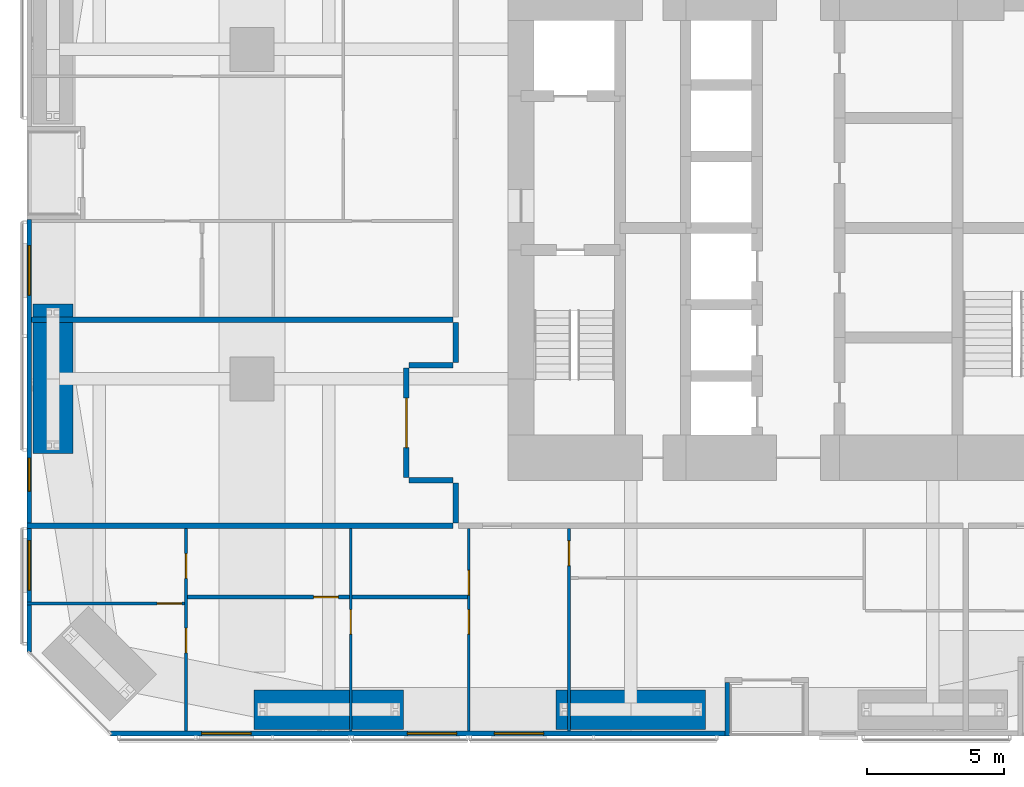
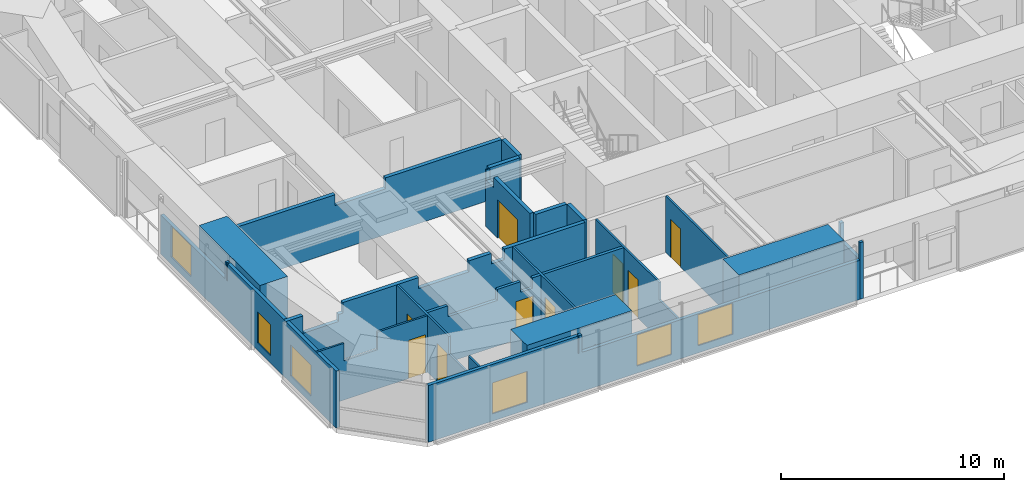
# One storey, part 17 of 24: 20 walls, 9 doors, 6 windows, 15 openings.
"""IFC4 building model written with IfcOpenShell, lengths in metres."""

from ifc_helpers import new_model, si_unit, direction, frame, frame_2d, origin, place, context, subcontext, project, spatial, polyline, rectangle, outline, extrude, material, layer, layer_set, constituent, constituent_set, type_object, element, fill, save


model = new_model("IFC4")

# Units and contexts
model_context = context("Model", 3, precision=1e-05, world=origin(), true_north=direction((0.0, 1.0)))
body_context = subcontext(model_context, "Body", "Model", "MODEL_VIEW")
ifc_project = project(units=[si_unit("LENGTHUNIT", "METRE"), si_unit("AREAUNIT", "SQUARE_METRE"), si_unit("VOLUMEUNIT", "CUBIC_METRE"), si_unit("PLANEANGLEUNIT", "RADIAN"), si_unit("MASSUNIT", "GRAM", prefix="KILO")], contexts=[model_context])

# Site, building, storey
site_placement = place(None, origin())
site = spatial("IfcSite", under=ifc_project, at=site_placement, CompositionType="ELEMENT")
building_placement = place(site_placement, origin())
building = spatial("IfcBuilding", under=site, at=building_placement, Name="Jalousie Tower", CompositionType="ELEMENT")
storey_placement = place(building_placement, frame((0.0, 0.0, 44.449951171875)))
storey = spatial("IfcBuildingStorey", under=building, at=storey_placement, Name="L11", CompositionType="ELEMENT", Elevation=44.449951171875)

# Wall, opening, door
ifc_material_1 = material(Name="Concrete block ASTM C90", Category="concrete")
ifc_constituent_1 = constituent(ifc_material_1, Name="Body")
ifc_material_2 = material(Name="Render")
ifc_constituent_2 = constituent(ifc_material_2, Name="Finish")
ifc_constituent_set_1 = constituent_set(constituents=[ifc_constituent_1, ifc_constituent_2])
wall_type_1 = type_object("IfcWallType", Name="BATHROOM WALL 150", PredefinedType="PLUMBINGWALL", material=ifc_constituent_set_1)
wall_1_placement = place(storey_placement, frame((7.85009765625, 5.050048828125, 0.0), z_axis=(0.0, 0.0, 1.0), x_axis=(1.0, 0.0, 0.0)))
wall_1 = element("IfcWall", 1, at=wall_1_placement, inside=storey, type_object=wall_type_1, Name="Bathroom Wall 150 L11", PredefinedType="PLUMBINGWALL", context=body_context, shape_type="SweptSolid", body=[
    extrude(outline(polyline([(0.0, 0.0), (5.89990234375, 0.0), (5.89990234375, 3.110107421875), (5.46240234375, 3.110107421875), (5.46240234375, 2.541015625), (4.837646484375, 2.541015625), (4.837646484375, 3.110107421875), (3.635009765625, 3.110107421875), (3.635009765625, 2.510009765625), (1.06494140625, 2.510009765625), (1.06494140625, 3.110107421875), (0.0, 3.110107421875), (0.0, 0.0)])), frame((0.0, 0.074951171875, 0.0), z_axis=(0.0, -1.0, 0.0), x_axis=(1.0, 0.0, 0.0)), (0.0, 0.0, 1.0), 0.14990234375),
])
opening_1_placement = place(wall_1_placement, frame((4.60009765625, 0.0, 0.0)))
opening_1 = element("IfcOpeningElement", 2, at=opening_1_placement, cuts=wall_1, Name="Opening D3", PredefinedType="OPENING", context=body_context, shape_type="SweptSolid", body=[
    extrude(rectangle(XDim=0.89990234375, YDim=2.10009765625, at=frame_2d((0.449951171875, 1.050048828125))), frame((0.0, 0.0849609375, 0.0), z_axis=(0.0, -1.0, 0.0), x_axis=(1.0, 0.0, 0.0)), (0.0, 0.0, 1.0), 0.169921875),
])
ifc_material_3 = material(Name="Timber door", Category="wood")
door_type_1 = type_object("IfcDoorType", Name="BATHROOM DOOR 900", OperationType="SINGLE_SWING_LEFT", PredefinedType="DOOR", material=ifc_material_3)
door_1_placement = place(opening_1_placement, origin())
door_1 = element("IfcDoor", 3, at=door_1_placement, inside=storey, type_object=door_type_1, Name="Apartment 1101 bedroom 2 bathroom door", OperationType="SINGLE_SWING_RIGHT", OverallHeight=2.10009765625, OverallWidth=0.89990234375, PredefinedType="DOOR", context=body_context, shape_type="SweptSolid", body=[
    extrude(rectangle(XDim=0.89990234375, YDim=2.10009765625, at=frame_2d((0.449951171875, 1.050048828125))), frame((0.0, 0.02490234375, 0.0), z_axis=(0.0, -1.0, 0.0), x_axis=(1.0, 0.0, 0.0)), (0.0, 0.0, 1.0), 0.050048828125),
])
fill(opening_1, door_1)

# Walls
wall_2_placement = place(storey_placement, frame((13.85009765625, 5.050048828125, 0.0), z_axis=(0.0, 0.0, 1.0), x_axis=(1.0, 0.0, 0.0)))
element("IfcWall", 4, at=wall_2_placement, inside=storey, type_object=wall_type_1, Name="Bathroom Wall 150 L11", PredefinedType="PLUMBINGWALL", context=body_context, shape_type="SweptSolid", body=[
    extrude(rectangle(XDim=4.199951171875, YDim=0.14990234375, at=frame_2d((2.10009765625, 0.0))), origin(), (0.0, 0.0, 1.0), 3.110107421875),
])
ifc_material_4 = material(Name="Concrete block ASTM C90", Category="concrete")
ifc_constituent_3 = constituent(ifc_material_4, Name="Body")
ifc_material_5 = material(Name="Render")
ifc_constituent_4 = constituent(ifc_material_5, Name="Finish")
ifc_constituent_set_2 = constituent_set(constituents=[ifc_constituent_3, ifc_constituent_4])
wall_type_2 = type_object("IfcWallType", Name="CORRIDOR WALL 200", PredefinedType="PARTITIONING", material=ifc_constituent_set_2)
for number, where, z_axis, x_axis, name in (
    (5, (17.625, 7.75, 0.0), (0.0, 0.0, 1.0), (0.0, 1.0, 0.0), "Corridor Wall 200 L11"),
    (6, (17.625, 13.60009765625, 0.0), (0.0, 0.0, 1.0), (0.0, 1.0, 0.0), "Corridor Wall 200 L11"),
):
    element("IfcWall", number, at=place(storey_placement, frame(where, z_axis=z_axis, x_axis=x_axis)), inside=storey, type_object=wall_type_2, Name=name, PredefinedType="PARTITIONING", context=body_context, shape_type="SweptSolid", body=[
        extrude(rectangle(XDim=1.449951171875, YDim=0.199951171875, at=frame_2d((0.72509765625, 0.0))), origin(), (0.0, 0.0, 1.0), 3.110107421875),
    ])

# Wall, opening, door
wall_3_placement = place(storey_placement, frame((15.824951171875, 9.39990234375, 0.0), z_axis=(0.0, 0.0, 1.0), x_axis=(0.0, 1.0, 0.0)))
wall_3 = element("IfcWall", 7, at=wall_3_placement, inside=storey, type_object=wall_type_2, Name="Corridor Wall 200 L11", PredefinedType="PARTITIONING", context=body_context, shape_type="SweptSolid", body=[
    extrude(outline(polyline([(0.0, 0.0), (4.0, 0.0), (4.0, 3.110107421875), (3.937255859375, 3.110107421875), (3.937255859375, 2.541015625), (3.2626953125, 2.541015625), (3.2626953125, 3.110107421875), (0.0, 3.110107421875), (0.0, 0.0)])), frame((0.0, 0.10009765625, 0.0), z_axis=(0.0, -1.0, 0.0), x_axis=(1.0, 0.0, 0.0)), (0.0, 0.0, 1.0), 0.199951171875),
])
opening_2_placement = place(wall_3_placement, frame((1.10009765625, 0.0, 0.0)))
opening_2 = element("IfcOpeningElement", 8, at=opening_2_placement, cuts=wall_3, Name="Opening D22", PredefinedType="OPENING", context=body_context, shape_type="SweptSolid", body=[
    extrude(rectangle(XDim=1.800048828125, YDim=2.10009765625, at=frame_2d((0.89990234375, 1.050048828125))), frame((0.0, 0.10986328125, 0.0), z_axis=(0.0, -1.0, 0.0), x_axis=(1.0, 0.0, 0.0)), (0.0, 0.0, 1.0), 0.219970703125),
])
ifc_material_6 = material(Name="Timber fire door", Category="wood")
door_type_2 = type_object("IfcDoorType", Name="CORRIDOR DOUBLE DOOR 1800", OperationType="DOUBLE_DOOR_SINGLE_SWING", PredefinedType="DOOR", material=ifc_material_6)
door_2_placement = place(opening_2_placement, origin())
door_2 = element("IfcDoor", 9, at=door_2_placement, inside=storey, type_object=door_type_2, Name="Residents' library door", OperationType="DOUBLE_DOOR_SINGLE_SWING", OverallHeight=2.10009765625, OverallWidth=1.800048828125, PredefinedType="DOOR", context=body_context, shape_type="SweptSolid", body=[
    extrude(rectangle(XDim=1.800048828125, YDim=2.10009765625, at=frame_2d((0.89990234375, 1.050048828125))), frame((0.0, 0.02490234375, 0.0), z_axis=(0.0, -1.0, 0.0), x_axis=(1.0, 0.0, 0.0)), (0.0, 0.0, 1.0), 0.050048828125),
])
fill(opening_2, door_2)

# Walls
for number, where, z_axis, x_axis, name in (
    (10, (17.52490234375, 9.300048828125, 0.0), (0.0, 0.0, 1.0), (-1.0, 0.0, 0.0), "Corridor Wall 200 L11"),
    (11, (17.52490234375, 13.5, 0.0), (0.0, 0.0, 1.0), (-1.0, 0.0, 0.0), "Corridor Wall 200 L11"),
):
    element("IfcWall", number, at=place(storey_placement, frame(where, z_axis=z_axis, x_axis=x_axis)), inside=storey, type_object=wall_type_2, Name=name, PredefinedType="PARTITIONING", context=body_context, shape_type="SweptSolid", body=[
        extrude(rectangle(XDim=1.599853515625, YDim=0.199951171875, at=frame_2d((0.7998046875, 0.0))), origin(), (0.0, 0.0, 1.0), 3.110107421875),
    ])

# Wall, openings, windows
ifc_material_7 = material(Name="Concrete f'c 40 MPa", Category="concrete")
ifc_constituent_5 = constituent(ifc_material_7, Name="Body")
ifc_material_8 = material(Name="Render, pastel coral")
ifc_constituent_6 = constituent(ifc_material_8, Name="Finish")
ifc_constituent_set_3 = constituent_set(constituents=[ifc_constituent_5, ifc_constituent_6])
wall_type_3 = type_object("IfcWallType", Name="EXTERNAL WALL 175 CORAL RENDER", PredefinedType="SOLIDWALL", material=ifc_constituent_set_3)
wall_4_placement = place(storey_placement, frame((5.05126953125, 0.08740234375, 0.0), z_axis=(0.0, 0.0, 1.0), x_axis=(1.0, 0.0, 0.0)))
wall_4 = element("IfcWall", 12, at=wall_4_placement, inside=storey, type_object=wall_type_3, Name="External Wall 175 Coral Render L11", PredefinedType="SOLIDWALL", context=body_context, shape_type="SweptSolid", body=[
    extrude(outline(polyline([(0.0, 0.0), (22.373779296875, 0.0), (22.373779296875, 2.150146484375), (7.94873046875, 2.150146484375), (7.94873046875, 3.110107421875), (7.79296875, 3.110107421875), (7.79296875, 2.150146484375), (7.74462890625, 2.150146484375), (7.74462890625, 3.110107421875), (0.0, 3.110107421875), (0.0, 0.0)])), frame((0.0, 0.08740234375, 0.0), z_axis=(0.0, -1.0, 0.0), x_axis=(1.0, 0.0, 0.0)), (0.0, 0.0, 1.0), 0.175048828125),
])
opening_3_placement = place(wall_4_placement, frame((3.318603515625, 0.0, 0.39990234375)))
opening_3 = element("IfcOpeningElement", 13, at=opening_3_placement, cuts=wall_4, Name="Opening W-BED170", PredefinedType="OPENING", context=body_context, shape_type="SweptSolid", body=[
    extrude(rectangle(XDim=1.800048828125, YDim=1.699951171875, at=frame_2d((0.89990234375, 0.85009765625))), frame((0.0, 0.097412109375, 0.0), z_axis=(0.0, -1.0, 0.0), x_axis=(1.0, 0.0, 0.0)), (0.0, 0.0, 1.0), 0.195068359375),
])
opening_4_placement = place(wall_4_placement, frame((10.80615234375, 0.0, 0.39990234375)))
opening_4 = element("IfcOpeningElement", 14, at=opening_4_placement, cuts=wall_4, Name="Opening W-BED170", PredefinedType="OPENING", context=body_context, shape_type="SweptSolid", body=[
    extrude(rectangle(XDim=1.800048828125, YDim=1.699951171875, at=frame_2d((0.89990234375, 0.85009765625))), frame((0.0, 0.097412109375, 0.0), z_axis=(0.0, -1.0, 0.0), x_axis=(1.0, 0.0, 0.0)), (0.0, 0.0, 1.0), 0.195068359375),
])
opening_5_placement = place(wall_4_placement, frame((13.9736328125, 0.0, 0.39990234375)))
opening_5 = element("IfcOpeningElement", 15, at=opening_5_placement, cuts=wall_4, Name="Opening W-BED170", PredefinedType="OPENING", context=body_context, shape_type="SweptSolid", body=[
    extrude(rectangle(XDim=1.800048828125, YDim=1.699951171875, at=frame_2d((0.89990234375, 0.85009765625))), frame((0.0, 0.097412109375, 0.0), z_axis=(0.0, -1.0, 0.0), x_axis=(1.0, 0.0, 0.0)), (0.0, 0.0, 1.0), 0.195068359375),
])
ifc_material_9 = material(Name="Aluminium frame, impact-rated glazing", Category="aluminium")
window_type_1 = type_object("IfcWindowType", Name="WINDOW BED 1800x1700", PartitioningType="SINGLE_PANEL", PredefinedType="WINDOW", material=ifc_material_9)
window_1_placement = place(opening_3_placement, origin())
window_1 = element("IfcWindow", 16, at=window_1_placement, inside=storey, type_object=window_type_1, Name="Apartment 1101 bedroom 2 window", OverallHeight=1.699951171875, OverallWidth=1.800048828125, PartitioningType="SINGLE_PANEL", PredefinedType="WINDOW", context=body_context, shape_type="SweptSolid", body=[
    extrude(rectangle(XDim=1.800048828125, YDim=1.699951171875, at=frame_2d((0.89990234375, 0.85009765625))), frame((0.0, 0.030029296875, 0.0), z_axis=(0.0, -1.0, 0.0), x_axis=(1.0, 0.0, 0.0)), (0.0, 0.0, 1.0), 0.06005859375),
])
fill(opening_3, window_1)
window_2_placement = place(opening_4_placement, origin())
window_2 = element("IfcWindow", 17, at=window_2_placement, inside=storey, type_object=window_type_1, Name="Apartment 1101 bedroom 3 window", OverallHeight=1.699951171875, OverallWidth=1.800048828125, PartitioningType="SINGLE_PANEL", PredefinedType="WINDOW", context=body_context, shape_type="SweptSolid", body=[
    extrude(rectangle(XDim=1.800048828125, YDim=1.699951171875, at=frame_2d((0.89990234375, 0.85009765625))), frame((0.0, 0.030029296875, 0.0), z_axis=(0.0, -1.0, 0.0), x_axis=(1.0, 0.0, 0.0)), (0.0, 0.0, 1.0), 0.06005859375),
])
fill(opening_4, window_2)
window_3_placement = place(opening_5_placement, origin())
window_3 = element("IfcWindow", 18, at=window_3_placement, inside=storey, type_object=window_type_1, Name="Apartment 1101 study window", OverallHeight=1.699951171875, OverallWidth=1.800048828125, PartitioningType="SINGLE_PANEL", PredefinedType="WINDOW", context=body_context, shape_type="SweptSolid", body=[
    extrude(rectangle(XDim=1.800048828125, YDim=1.699951171875, at=frame_2d((0.89990234375, 0.85009765625))), frame((0.0, 0.030029296875, 0.0), z_axis=(0.0, -1.0, 0.0), x_axis=(1.0, 0.0, 0.0)), (0.0, 0.0, 1.0), 0.06005859375),
])
fill(opening_5, window_3)

# Wall
wall_5_placement = place(storey_placement, frame((27.512451171875, 0.0, 0.0), z_axis=(0.0, 0.0, 1.0), x_axis=(0.0, 1.0, 0.0)))
element("IfcWall", 19, at=wall_5_placement, inside=storey, type_object=wall_type_3, Name="External Wall 175 Coral Render L11", PredefinedType="SOLIDWALL", context=body_context, shape_type="SweptSolid", body=[
    extrude(outline(polyline([(0.0, 0.0), (1.949951171875, 0.0), (1.949951171875, 3.110107421875), (1.75, 3.110107421875), (1.75, 2.150146484375), (0.14990234375, 2.150146484375), (0.14990234375, 3.110107421875), (0.0, 3.110107421875), (0.0, 0.0)])), frame((0.0, 0.08740234375, 0.0), z_axis=(0.0, -1.0, 0.0), x_axis=(1.0, 0.0, 0.0)), (0.0, 0.0, 1.0), 0.175048828125),
])

# Wall, openings, windows
wall_6_placement = place(storey_placement, frame((2.08740234375, 18.800048828125, 0.0), z_axis=(0.0, 0.0, 1.0), x_axis=(0.0, -1.0, 0.0)))
wall_6 = element("IfcWall", 20, at=wall_6_placement, inside=storey, type_object=wall_type_3, Name="External Wall 175 Coral Render L11", PredefinedType="SOLIDWALL", context=body_context, shape_type="SweptSolid", body=[
    extrude(outline(polyline([(0.0, 0.0), (15.748779296875, 0.0), (15.748779296875, 3.110107421875), (6.0185546875, 3.110107421875), (6.0185546875, 2.150146484375), (5.92578125, 2.150146484375), (5.92578125, 3.110107421875), (5.800048828125, 3.110107421875), (5.800048828125, 2.150146484375), (0.0, 2.150146484375), (0.0, 0.0)])), frame((0.0, 0.08740234375, 0.0), z_axis=(0.0, -1.0, 0.0), x_axis=(1.0, 0.0, 0.0)), (0.0, 0.0, 1.0), 0.175048828125),
])
opening_6_placement = place(wall_6_placement, frame((0.949951171875, 0.0, 0.39990234375)))
opening_6 = element("IfcOpeningElement", 21, at=opening_6_placement, cuts=wall_6, Name="Opening W-BED170", PredefinedType="OPENING", context=body_context, shape_type="SweptSolid", body=[
    extrude(rectangle(XDim=1.800048828125, YDim=1.699951171875, at=frame_2d((0.89990234375, 0.85009765625))), frame((0.0, 0.097412109375, 0.0), z_axis=(0.0, -1.0, 0.0), x_axis=(1.0, 0.0, 0.0)), (0.0, 0.0, 1.0), 0.195068359375),
])
opening_7_placement = place(wall_6_placement, frame((8.68994140625, 0.0, 0.39990234375)))
opening_7 = element("IfcOpeningElement", 22, at=opening_7_placement, cuts=wall_6, Name="Opening W-COR170", PredefinedType="OPENING", context=body_context, shape_type="SweptSolid", body=[
    extrude(rectangle(XDim=1.199951171875, YDim=1.699951171875, at=frame_2d((0.60009765625, 0.85009765625))), frame((0.0, 0.097412109375, 0.0), z_axis=(0.0, -1.0, 0.0), x_axis=(1.0, 0.0, 0.0)), (0.0, 0.0, 1.0), 0.195068359375),
])
opening_8_placement = place(wall_6_placement, frame((11.69140625, 0.0, 0.39990234375)))
opening_8 = element("IfcOpeningElement", 23, at=opening_8_placement, cuts=wall_6, Name="Opening W-BED170", PredefinedType="OPENING", context=body_context, shape_type="SweptSolid", body=[
    extrude(rectangle(XDim=1.800048828125, YDim=1.699951171875, at=frame_2d((0.89990234375, 0.85009765625))), frame((0.0, 0.097412109375, 0.0), z_axis=(0.0, -1.0, 0.0), x_axis=(1.0, 0.0, 0.0)), (0.0, 0.0, 1.0), 0.195068359375),
])
window_4_placement = place(opening_6_placement, origin())
window_4 = element("IfcWindow", 24, at=window_4_placement, inside=storey, type_object=window_type_1, Name="Apartment 1106 bedroom 1 window", OverallHeight=1.699951171875, OverallWidth=1.800048828125, PartitioningType="SINGLE_PANEL", PredefinedType="WINDOW", context=body_context, shape_type="SweptSolid", body=[
    extrude(rectangle(XDim=1.800048828125, YDim=1.699951171875, at=frame_2d((0.89990234375, 0.85009765625))), frame((0.0, 0.030029296875, 0.0), z_axis=(0.0, -1.0, 0.0), x_axis=(1.0, 0.0, 0.0)), (0.0, 0.0, 1.0), 0.06005859375),
])
fill(opening_6, window_4)
window_5_placement = place(opening_8_placement, origin())
window_5 = element("IfcWindow", 25, at=window_5_placement, inside=storey, type_object=window_type_1, Name="Apartment 1101 bedroom 1 window", OverallHeight=1.699951171875, OverallWidth=1.800048828125, PartitioningType="SINGLE_PANEL", PredefinedType="WINDOW", context=body_context, shape_type="SweptSolid", body=[
    extrude(rectangle(XDim=1.800048828125, YDim=1.699951171875, at=frame_2d((0.89990234375, 0.85009765625))), frame((0.0, 0.030029296875, 0.0), z_axis=(0.0, -1.0, 0.0), x_axis=(1.0, 0.0, 0.0)), (0.0, 0.0, 1.0), 0.06005859375),
])
fill(opening_8, window_5)
ifc_material_10 = material(Name="Aluminium frame, impact-rated glazing", Category="aluminium")
window_type_2 = type_object("IfcWindowType", Name="WINDOW COR 1200x1700", PartitioningType="SINGLE_PANEL", PredefinedType="WINDOW", material=ifc_material_10)
window_6_placement = place(opening_7_placement, origin())
window_6 = element("IfcWindow", 26, at=window_6_placement, inside=storey, type_object=window_type_2, Name="Residents' library window", OverallHeight=1.699951171875, OverallWidth=1.199951171875, PartitioningType="SINGLE_PANEL", PredefinedType="WINDOW", context=body_context, shape_type="SweptSolid", body=[
    extrude(rectangle(XDim=1.199951171875, YDim=1.699951171875, at=frame_2d((0.60009765625, 0.85009765625))), frame((0.0, 0.030029296875, 0.0), z_axis=(0.0, -1.0, 0.0), x_axis=(1.0, 0.0, 0.0)), (0.0, 0.0, 1.0), 0.06005859375),
])
fill(opening_7, window_6)

# Wall, openings, doors
ifc_material_11 = material(Name="Gypsum board", Category="gypsum")
ifc_constituent_7 = constituent(ifc_material_11, Name="Body")
ifc_material_12 = material(Name="Light-gauge steel studs ASTM A653 SS Grade 33", Category="steel")
ifc_constituent_8 = constituent(ifc_material_12, Name="Framing")
ifc_constituent_set_4 = constituent_set(constituents=[ifc_constituent_7, ifc_constituent_8])
wall_type_4 = type_object("IfcWallType", Name="PARTITION 100", PredefinedType="PARTITIONING", material=ifc_constituent_set_4)
wall_7_placement = place(storey_placement, frame((7.800048828125, 0.175048828125, 0.0), z_axis=(0.0, 0.0, 1.0), x_axis=(0.0, 1.0, 0.0)))
wall_7 = element("IfcWall", 27, at=wall_7_placement, inside=storey, type_object=wall_type_4, Name="Partition 100 L11", PredefinedType="PARTITIONING", context=body_context, shape_type="SweptSolid", body=[
    extrude(outline(polyline([(0.0, 0.0), (7.375, 0.0), (7.375, 3.110107421875), (2.697021484375, 3.110107421875), (2.697021484375, 2.150146484375), (0.942626953125, 2.150146484375), (0.942626953125, 3.110107421875), (0.0, 3.110107421875), (0.0, 0.0)])), frame((0.0, 0.050048828125, 0.0), z_axis=(0.0, -1.0, 0.0), x_axis=(1.0, 0.0, 0.0)), (0.0, 0.0, 1.0), 0.10009765625),
])
opening_9_placement = place(wall_7_placement, frame((2.84228515625, 0.0, 0.0)))
opening_9 = element("IfcOpeningElement", 28, at=opening_9_placement, cuts=wall_7, Name="Opening D2", PredefinedType="OPENING", context=body_context, shape_type="SweptSolid", body=[
    extrude(rectangle(XDim=0.89990234375, YDim=2.10009765625, at=frame_2d((0.449951171875, 1.050048828125))), frame((0.0, 0.06005859375, 0.0), z_axis=(0.0, -1.0, 0.0), x_axis=(1.0, 0.0, 0.0)), (0.0, 0.0, 1.0), 0.1201171875),
])
opening_10_placement = place(wall_7_placement, frame((5.55859375, 0.0, 0.0)))
opening_10 = element("IfcOpeningElement", 29, at=opening_10_placement, cuts=wall_7, Name="Opening D3", PredefinedType="OPENING", context=body_context, shape_type="SweptSolid", body=[
    extrude(rectangle(XDim=0.89990234375, YDim=2.10009765625, at=frame_2d((0.449951171875, 1.050048828125))), frame((0.0, 0.06005859375, 0.0), z_axis=(0.0, -1.0, 0.0), x_axis=(1.0, 0.0, 0.0)), (0.0, 0.0, 1.0), 0.1201171875),
])
door_3_placement = place(opening_10_placement, frame((0.89990234375, 0.0, 0.0), z_axis=(0.0, 0.0, 1.0), x_axis=(-1.0, 0.0, 0.0)))
door_3 = element("IfcDoor", 30, at=door_3_placement, inside=storey, type_object=door_type_1, Name="Apartment 1101 bedroom 1 bathroom door", OperationType="SINGLE_SWING_RIGHT", OverallHeight=2.10009765625, OverallWidth=0.89990234375, PredefinedType="DOOR", context=body_context, shape_type="SweptSolid", body=[
    extrude(rectangle(XDim=0.89990234375, YDim=2.10009765625, at=frame_2d((0.449951171875, 1.050048828125))), frame((0.0, 0.02490234375, 0.0), z_axis=(0.0, -1.0, 0.0), x_axis=(1.0, 0.0, 0.0)), (0.0, 0.0, 1.0), 0.050048828125),
])
fill(opening_10, door_3)
ifc_material_13 = material(Name="Timber door", Category="wood")
door_type_3 = type_object("IfcDoorType", Name="BEDROOM DOOR 900", OperationType="SINGLE_SWING_LEFT", PredefinedType="DOOR", material=ifc_material_13)
door_4_placement = place(opening_9_placement, frame((0.89990234375, 0.0, 0.0), z_axis=(0.0, 0.0, 1.0), x_axis=(-1.0, 0.0, 0.0)))
door_4 = element("IfcDoor", 31, at=door_4_placement, inside=storey, type_object=door_type_3, Name="Apartment 1101 bedroom 1 door", OperationType="SINGLE_SWING_LEFT", OverallHeight=2.10009765625, OverallWidth=0.89990234375, PredefinedType="DOOR", context=body_context, shape_type="SweptSolid", body=[
    extrude(rectangle(XDim=0.89990234375, YDim=2.10009765625, at=frame_2d((0.449951171875, 1.050048828125))), frame((0.0, 0.02490234375, 0.0), z_axis=(0.0, -1.0, 0.0), x_axis=(1.0, 0.0, 0.0)), (0.0, 0.0, 1.0), 0.050048828125),
])
fill(opening_9, door_4)

# Wall, opening, door
wall_8_placement = place(storey_placement, frame((13.800048828125, 0.175048828125, 0.0), z_axis=(0.0, 0.0, 1.0), x_axis=(0.0, 1.0, 0.0)))
wall_8 = element("IfcWall", 32, at=wall_8_placement, inside=storey, type_object=wall_type_4, Name="Partition 100 L11", PredefinedType="PARTITIONING", context=body_context, shape_type="SweptSolid", body=[
    extrude(outline(polyline([(1.635009765625, 2.150146484375), (0.0, 2.150146484375), (0.0, 0.0), (7.375, 0.0), (7.375, 3.110107421875), (1.635009765625, 3.110107421875), (1.635009765625, 2.150146484375)]), holes=[polyline([(1.021240234375, 0.1259765625), (0.52880859375, 0.1259765625), (0.52880859375, 0.9189453125), (1.021240234375, 0.9189453125), (1.021240234375, 0.1259765625)]), polyline([(1.021240234375, 1.231201171875), (0.52880859375, 1.231201171875), (0.52880859375, 2.024169921875), (1.021240234375, 2.024169921875), (1.021240234375, 1.231201171875)])]), frame((0.0, 0.050048828125, 0.0), z_axis=(0.0, -1.0, 0.0), x_axis=(1.0, 0.0, 0.0)), (0.0, 0.0, 1.0), 0.10009765625),
])
opening_11_placement = place(wall_8_placement, frame((3.52490234375, 0.0, 0.0)))
opening_11 = element("IfcOpeningElement", 33, at=opening_11_placement, cuts=wall_8, Name="Opening D2", PredefinedType="OPENING", context=body_context, shape_type="SweptSolid", body=[
    extrude(rectangle(XDim=0.89990234375, YDim=2.10009765625, at=frame_2d((0.449951171875, 1.050048828125))), frame((0.0, 0.06005859375, 0.0), z_axis=(0.0, -1.0, 0.0), x_axis=(1.0, 0.0, 0.0)), (0.0, 0.0, 1.0), 0.1201171875),
])
door_5_placement = place(opening_11_placement, origin())
door_5 = element("IfcDoor", 34, at=door_5_placement, inside=storey, type_object=door_type_3, Name="Apartment 1101 bedroom 2 door", OperationType="SINGLE_SWING_RIGHT", OverallHeight=2.10009765625, OverallWidth=0.89990234375, PredefinedType="DOOR", context=body_context, shape_type="SweptSolid", body=[
    extrude(rectangle(XDim=0.89990234375, YDim=2.10009765625, at=frame_2d((0.449951171875, 1.050048828125))), frame((0.0, 0.02490234375, 0.0), z_axis=(0.0, -1.0, 0.0), x_axis=(1.0, 0.0, 0.0)), (0.0, 0.0, 1.0), 0.050048828125),
])
fill(opening_11, door_5)

# Wall, openings, doors
wall_9_placement = place(storey_placement, frame((18.10009765625, 0.175048828125, 0.0), z_axis=(0.0, 0.0, 1.0), x_axis=(0.0, 1.0, 0.0)))
wall_9 = element("IfcWall", 35, at=wall_9_placement, inside=storey, type_object=wall_type_4, Name="Partition 100 L11", PredefinedType="PARTITIONING", context=body_context, shape_type="SweptSolid", body=[
    extrude(outline(polyline([(0.0, 0.0), (7.375, 0.0), (7.375, 3.110107421875), (1.635009765625, 3.110107421875), (1.635009765625, 2.150146484375), (0.0, 2.150146484375), (0.0, 3.110107421875), (0.0, 0.0)])), frame((0.0, 0.050048828125, 0.0), z_axis=(0.0, -1.0, 0.0), x_axis=(1.0, 0.0, 0.0)), (0.0, 0.0, 1.0), 0.10009765625),
])
opening_12_placement = place(wall_9_placement, frame((3.52490234375, 0.0, 0.0)))
opening_12 = element("IfcOpeningElement", 36, at=opening_12_placement, cuts=wall_9, Name="Opening D2", PredefinedType="OPENING", context=body_context, shape_type="SweptSolid", body=[
    extrude(rectangle(XDim=0.89990234375, YDim=2.10009765625, at=frame_2d((0.449951171875, 1.050048828125))), frame((0.0, 0.06005859375, 0.0), z_axis=(0.0, -1.0, 0.0), x_axis=(1.0, 0.0, 0.0)), (0.0, 0.0, 1.0), 0.1201171875),
])
opening_13_placement = place(wall_9_placement, frame((4.949951171875, 0.0, 0.0)))
opening_13 = element("IfcOpeningElement", 37, at=opening_13_placement, cuts=wall_9, Name="Opening D7", PredefinedType="OPENING", context=body_context, shape_type="SweptSolid", body=[
    extrude(rectangle(XDim=0.89990234375, YDim=2.10009765625, at=frame_2d((0.449951171875, 1.050048828125))), frame((0.0, 0.06005859375, 0.0), z_axis=(0.0, -1.0, 0.0), x_axis=(1.0, 0.0, 0.0)), (0.0, 0.0, 1.0), 0.1201171875),
])
door_6_placement = place(opening_12_placement, origin())
door_6 = element("IfcDoor", 38, at=door_6_placement, inside=storey, type_object=door_type_3, Name="Apartment 1101 bedroom 3 door", OperationType="SINGLE_SWING_RIGHT", OverallHeight=2.10009765625, OverallWidth=0.89990234375, PredefinedType="DOOR", context=body_context, shape_type="SweptSolid", body=[
    extrude(rectangle(XDim=0.89990234375, YDim=2.10009765625, at=frame_2d((0.449951171875, 1.050048828125))), frame((0.0, 0.02490234375, 0.0), z_axis=(0.0, -1.0, 0.0), x_axis=(1.0, 0.0, 0.0)), (0.0, 0.0, 1.0), 0.050048828125),
])
fill(opening_12, door_6)
ifc_material_14 = material(Name="Timber door", Category="wood")
door_type_4 = type_object("IfcDoorType", Name="INTERNAL DOOR 900", OperationType="SINGLE_SWING_LEFT", PredefinedType="DOOR", material=ifc_material_14)
door_7_placement = place(opening_13_placement, origin())
door_7 = element("IfcDoor", 39, at=door_7_placement, inside=storey, type_object=door_type_4, Name="Apartment 1101 bathroom door", OperationType="SINGLE_SWING_LEFT", OverallHeight=2.10009765625, OverallWidth=0.89990234375, PredefinedType="DOOR", context=body_context, shape_type="SweptSolid", body=[
    extrude(rectangle(XDim=0.89990234375, YDim=2.10009765625, at=frame_2d((0.449951171875, 1.050048828125))), frame((0.0, 0.02490234375, 0.0), z_axis=(0.0, -1.0, 0.0), x_axis=(1.0, 0.0, 0.0)), (0.0, 0.0, 1.0), 0.050048828125),
])
fill(opening_13, door_7)

# Wall, opening, door
wall_10_placement = place(storey_placement, frame((2.0, 4.8173828125, 0.0), z_axis=(0.0, 0.0, 1.0), x_axis=(1.0, 0.0, 0.0)))
wall_10 = element("IfcWall", 40, at=wall_10_placement, inside=storey, type_object=wall_type_4, Name="Partition 100 L11", PredefinedType="PARTITIONING", context=body_context, shape_type="SweptSolid", body=[
    extrude(outline(polyline([(0.0, 0.0), (5.75, 0.0), (5.75, 3.110107421875), (3.148193359375, 3.110107421875), (3.148193359375, 2.150146484375), (1.40576171875, 2.150146484375), (1.40576171875, 3.110107421875), (0.0, 3.110107421875), (0.0, 0.0)])), frame((0.0, 0.050048828125, 0.0), z_axis=(0.0, -1.0, 0.0), x_axis=(1.0, 0.0, 0.0)), (0.0, 0.0, 1.0), 0.10009765625),
])
opening_14_placement = place(wall_10_placement, frame((4.75, 0.0, 0.0)))
opening_14 = element("IfcOpeningElement", 41, at=opening_14_placement, cuts=wall_10, Name="Opening D7", PredefinedType="OPENING", context=body_context, shape_type="SweptSolid", body=[
    extrude(rectangle(XDim=0.89990234375, YDim=2.10009765625, at=frame_2d((0.449951171875, 1.050048828125))), frame((0.0, 0.06005859375, 0.0), z_axis=(0.0, -1.0, 0.0), x_axis=(1.0, 0.0, 0.0)), (0.0, 0.0, 1.0), 0.1201171875),
])
door_8_placement = place(opening_14_placement, origin())
door_8 = element("IfcDoor", 42, at=door_8_placement, inside=storey, type_object=door_type_4, Name="Apartment 1101 bedroom 1 dressing hall door", OperationType="SINGLE_SWING_RIGHT", OverallHeight=2.10009765625, OverallWidth=0.89990234375, PredefinedType="DOOR", context=body_context, shape_type="SweptSolid", body=[
    extrude(rectangle(XDim=0.89990234375, YDim=2.10009765625, at=frame_2d((0.449951171875, 1.050048828125))), frame((0.0, 0.02490234375, 0.0), z_axis=(0.0, -1.0, 0.0), x_axis=(1.0, 0.0, 0.0)), (0.0, 0.0, 1.0), 0.050048828125),
])
fill(opening_14, door_8)

wall_11_placement = place(storey_placement, frame((21.75, 0.175048828125, 0.0), z_axis=(0.0, 0.0, 1.0), x_axis=(0.0, 1.0, 0.0)))
wall_11 = element("IfcWall", 43, at=wall_11_placement, inside=storey, type_object=wall_type_4, Name="Partition 100 L11", PredefinedType="PARTITIONING", context=body_context, shape_type="SweptSolid", body=[
    extrude(outline(polyline([(0.0, 0.0), (7.375, 0.0), (7.375, 3.110107421875), (1.635009765625, 3.110107421875), (1.635009765625, 2.150146484375), (0.0, 2.150146484375), (0.0, 3.110107421875), (0.0, 0.0)])), frame((0.0, 0.050048828125, 0.0), z_axis=(0.0, -1.0, 0.0), x_axis=(1.0, 0.0, 0.0)), (0.0, 0.0, 1.0), 0.10009765625),
])
opening_15_placement = place(wall_11_placement, frame((6.02490234375, 0.0, 0.0)))
opening_15 = element("IfcOpeningElement", 44, at=opening_15_placement, cuts=wall_11, Name="Opening D2", PredefinedType="OPENING", context=body_context, shape_type="SweptSolid", body=[
    extrude(rectangle(XDim=0.89990234375, YDim=2.10009765625, at=frame_2d((0.449951171875, 1.050048828125))), frame((0.0, 0.06005859375, 0.0), z_axis=(0.0, -1.0, 0.0), x_axis=(1.0, 0.0, 0.0)), (0.0, 0.0, 1.0), 0.1201171875),
])
door_9_placement = place(opening_15_placement, origin())
door_9 = element("IfcDoor", 45, at=door_9_placement, inside=storey, type_object=door_type_3, Name="Apartment 1101 study door", OperationType="SINGLE_SWING_RIGHT", OverallHeight=2.10009765625, OverallWidth=0.89990234375, PredefinedType="DOOR", context=body_context, shape_type="SweptSolid", body=[
    extrude(rectangle(XDim=0.89990234375, YDim=2.10009765625, at=frame_2d((0.449951171875, 1.050048828125))), frame((0.0, 0.02490234375, 0.0), z_axis=(0.0, -1.0, 0.0), x_axis=(1.0, 0.0, 0.0)), (0.0, 0.0, 1.0), 0.050048828125),
])
fill(opening_15, door_9)

# Walls
ifc_material_15 = material(Name="Concrete block ASTM C90", Category="concrete")
ifc_constituent_9 = constituent(ifc_material_15, Name="Body")
ifc_material_16 = material(Name="Render")
ifc_constituent_10 = constituent(ifc_material_16, Name="Finish")
ifc_constituent_set_5 = constituent_set(constituents=[ifc_constituent_9, ifc_constituent_10])
wall_type_5 = type_object("IfcWallType", Name="PARTY WALL 200", PredefinedType="PARTITIONING", material=ifc_constituent_set_5)
wall_12_placement = place(storey_placement, frame((2.0, 7.64990234375, 0.0), z_axis=(0.0, 0.0, 1.0), x_axis=(1.0, 0.0, 0.0)))
element("IfcWall", 46, at=wall_12_placement, inside=storey, type_object=wall_type_5, Name="Party Wall 200 L11", PredefinedType="PARTITIONING", context=body_context, shape_type="SweptSolid", body=[
    extrude(outline(polyline([(0.0, 0.0), (15.52490234375, 0.0), (15.52490234375, 3.110107421875), (11.33740234375, 3.110107421875), (11.33740234375, 2.541015625), (10.66259765625, 2.541015625), (10.66259765625, 3.110107421875), (9.510009765625, 3.110107421875), (9.510009765625, 2.510009765625), (6.889892578125, 2.510009765625), (6.889892578125, 3.110107421875), (2.96875, 3.110107421875), (2.96875, 2.541015625), (2.739501953125, 2.541015625), (2.739501953125, 2.150146484375), (0.895751953125, 2.150146484375), (0.895751953125, 3.110107421875), (0.0, 3.110107421875), (0.0, 0.0)])), frame((0.0, 0.10009765625, 0.0), z_axis=(0.0, -1.0, 0.0), x_axis=(1.0, 0.0, 0.0)), (0.0, 0.0, 1.0), 0.199951171875),
])
wall_13_placement = place(storey_placement, frame((2.175048828125, 15.14990234375, 0.0), z_axis=(0.0, 0.0, 1.0), x_axis=(1.0, 0.0, 0.0)))
element("IfcWall", 47, at=wall_13_placement, inside=storey, type_object=wall_type_5, Name="Party Wall 200 L11", PredefinedType="PARTITIONING", context=body_context, shape_type="SweptSolid", body=[
    extrude(outline(polyline([(0.52880859375, 2.150146484375), (0.0, 2.150146484375), (0.0, 0.0), (0.52880859375, 0.0), (0.52880859375, 0.02099609375), (1.021240234375, 0.02099609375), (1.021240234375, 0.0), (15.35009765625, 0.0), (15.35009765625, 3.110107421875), (9.3349609375, 3.110107421875), (9.3349609375, 2.510009765625), (6.715087890625, 2.510009765625), (6.715087890625, 3.110107421875), (1.68505859375, 3.110107421875), (1.68505859375, 2.150146484375), (1.021240234375, 2.150146484375), (1.021240234375, 2.129150390625), (0.52880859375, 2.129150390625), (0.52880859375, 2.150146484375)])), frame((0.0, 0.10009765625, 0.0), z_axis=(0.0, -1.0, 0.0), x_axis=(1.0, 0.0, 0.0)), (0.0, 0.0, 1.0), 0.199951171875),
])
ifc_material_17 = material(Name="Concrete f'c 120 MPa", Category="concrete")
ifc_layer = layer(ifc_material_17, 1.449951171875)
ifc_layer_set = layer_set([ifc_layer], Name="Concrete f'c 120 MPa")
wall_type_6 = type_object("IfcWallType", Name="RC WALL PIER 1450", PredefinedType="SHEAR", material=ifc_layer_set)
for number, where, z_axis, x_axis, name in (
    (48, (10.27490234375, 0.949951171875, 0.0), (0.0, 0.0, 1.0), (1.0, 0.0, 0.0), "Wall pier 02 L11"),
    (49, (21.27490234375, 0.949951171875, 0.0), (0.0, 0.0, 1.0), (1.0, 0.0, 0.0), "Wall pier 03 L11"),
    (50, (2.949951171875, 10.27490234375, 0.0), (0.0, 0.0, 1.0), (0.0, 1.0, 0.0), "Wall pier 14 L11"),
):
    element("IfcWall", number, at=place(storey_placement, frame(where, z_axis=z_axis, x_axis=x_axis)), inside=storey, type_object=wall_type_6, Name=name, PredefinedType="SHEAR", context=body_context, shape_type="SweptSolid", body=[
        extrude(rectangle(XDim=5.4501953125, YDim=1.449951171875, at=frame_2d((2.72509765625, 0.0))), origin(), (0.0, 0.0, 1.0), 3.35009765625),
    ])

save(model, "model.ifc")
